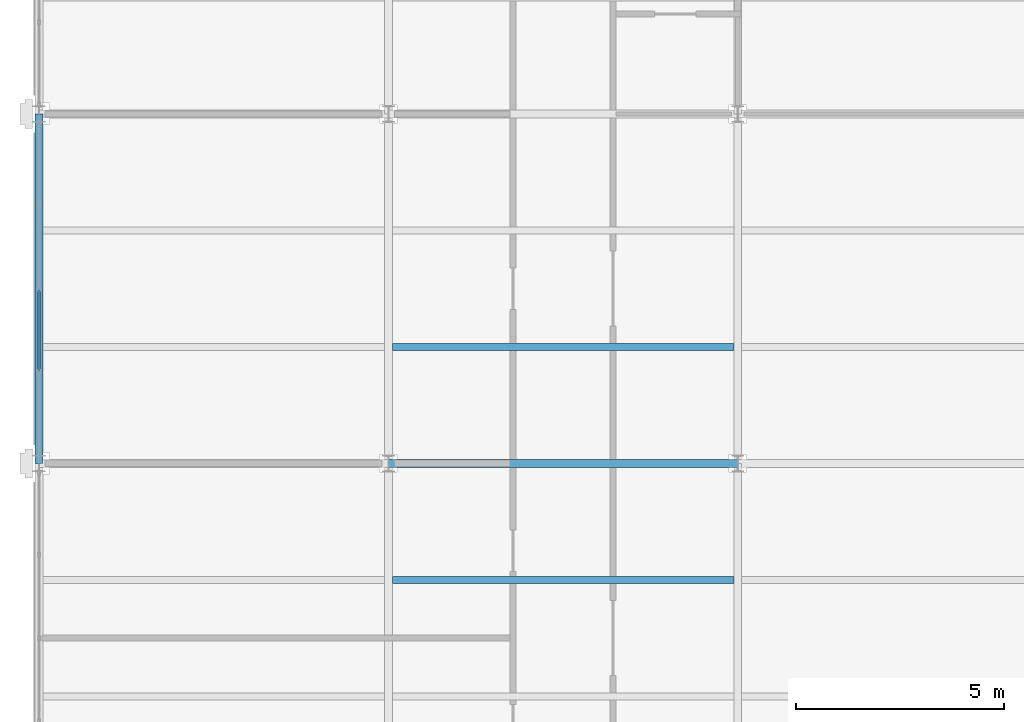
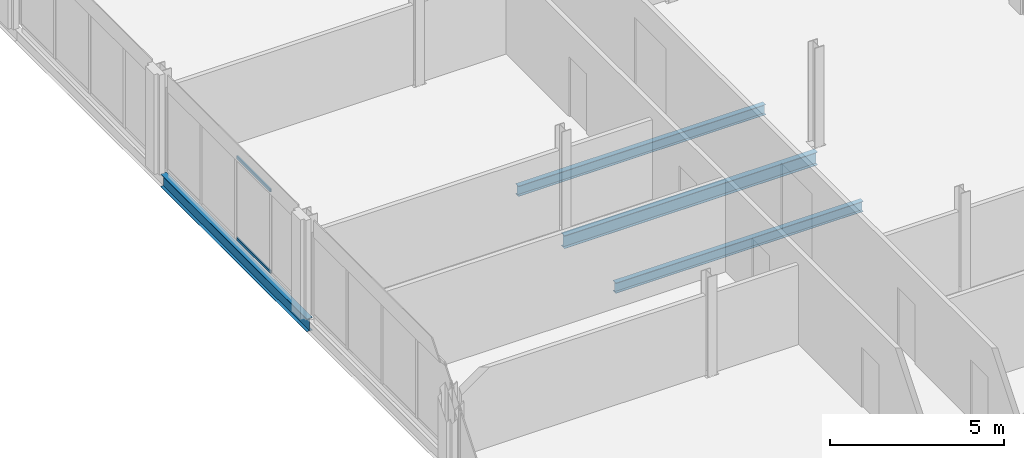
# One storey, part 13 of 32: 4 beams, 2 members, 1 element without a shape of its own.
"""IFC4 building model written with IfcOpenShell, lengths in metres."""

from ifc_helpers import new_model, si_unit, direction, frame, origin, origin_2d, place, context, subcontext, project, spatial, hollow_rectangle, i_section, extrude, material, material_profile, profile_set, type_object, element, aggregate, save


model = new_model("IFC4")

# Units and contexts
model_context = context("Model", 3, precision=1e-05, world=origin(), true_north=direction((0.0, 1.0)))
body_context = subcontext(model_context, "Body", "Model", "MODEL_VIEW")
ifc_project = project(units=[si_unit("LENGTHUNIT", "METRE"), si_unit("AREAUNIT", "SQUARE_METRE"), si_unit("VOLUMEUNIT", "CUBIC_METRE"), si_unit("PLANEANGLEUNIT", "RADIAN"), si_unit("MASSUNIT", "GRAM", prefix="KILO")], contexts=[model_context])

# Site, building, storey
site_placement = place(None, origin())
site = spatial("IfcSite", under=ifc_project, at=site_placement, CompositionType="ELEMENT")
building_placement = place(site_placement, origin())
building = spatial("IfcBuilding", under=site, at=building_placement, Name="Catenary Quay Ferry Terminal", CompositionType="ELEMENT")
storey_placement = place(building_placement, frame((0.0, 0.0, 17.10009765625)))
storey = spatial("IfcBuildingStorey", under=building, at=storey_placement, Name="L03", CompositionType="ELEMENT", Elevation=17.10009765625)

# Beams
ifc_material_1 = material(Name="Steel S355", Category="steel")
ifc_material_profile_1 = material_profile(ifc_material_1, i_section(OverallWidth=0.18994140625, OverallDepth=0.453369140625, WebThickness=0.008544921875, FlangeThickness=0.0126953125, at=origin_2d()), Name="UB 457x191x67")
ifc_profile_set_1 = profile_set([ifc_material_profile_1], Name="Steel S355")
beam_type_1 = type_object("IfcBeamType", Name="B1 UB 457x191x67", PredefinedType="BEAM", material=ifc_profile_set_1)
for number, where, z_axis, x_axis, name in (
    (1, (33.60009765625, 184.800048828125, -0.47705078125), (1.0, 0.0, 0.0), (0.0, 1.0, 0.0), "Beam B1-005"),
    (2, (25.199951171875, 184.800048828125, -0.47705078125), (0.0, 1.0, 0.0), (-1.0, 0.0, 0.0), "Beam B1-013"),
):
    element("IfcBeam", number, at=place(storey_placement, frame(where, z_axis=z_axis, x_axis=x_axis)), inside=storey, type_object=beam_type_1, Name=name, PredefinedType="BEAM", context=body_context, shape_type="SweptSolid", body=[
        extrude(i_section(OverallWidth=0.18994140625, OverallDepth=0.453369140625, WebThickness=0.008544921875, FlangeThickness=0.0126953125, at=origin_2d()), origin(), (0.0, 0.0, 1.0), 8.39990234375),
    ])
ifc_material_2 = material(Name="Steel S355", Category="steel")
ifc_material_profile_2 = material_profile(ifc_material_2, i_section(OverallWidth=0.169921875, OverallDepth=0.360107421875, WebThickness=0.008056640625, FlangeThickness=0.0126953125, at=origin_2d()), Name="IPE 360")
ifc_profile_set_2 = profile_set([ifc_material_profile_2], Name="Steel S355")
beam_type_2 = type_object("IfcBeamType", Name="B7 IPE 360", PredefinedType="BEAM", material=ifc_profile_set_2)
for number, where, z_axis, x_axis, name in (
    (3, (33.695068359375, 182.0, -0.43017578125), (1.0, 0.0, 0.0), (0.0, 1.0, 0.0), "Beam B7-035"),
    (4, (33.695068359375, 187.60009765625, -0.43017578125), (1.0, 0.0, 0.0), (0.0, 1.0, 0.0), "Beam B7-038"),
):
    element("IfcBeam", number, at=place(storey_placement, frame(where, z_axis=z_axis, x_axis=x_axis)), inside=storey, type_object=beam_type_2, Name=name, PredefinedType="BEAM", context=body_context, shape_type="SweptSolid", body=[
        extrude(i_section(OverallWidth=0.169921875, OverallDepth=0.360107421875, WebThickness=0.008056640625, FlangeThickness=0.0126953125, at=origin_2d()), origin(), (0.0, 0.0, 1.0), 8.2099609375),
    ])

# Curtain wall, members
ifc_material_3 = material(Name="Aluminium and glass", Category="aluminium")
curtain_wall_type = type_object("IfcCurtainWallType", Name="CWW3", PredefinedType="NOTDEFINED", material=ifc_material_3)
curtain_wall_placement = place(storey_placement, origin())
curtain_wall = element("IfcCurtainWall", 5, at=curtain_wall_placement, inside=storey, type_object=curtain_wall_type, Name="Wing curtain wall CW152", PredefinedType="NOTDEFINED")
ifc_material_4 = material(Name="Aluminium", Category="aluminium")
ifc_material_profile_3 = material_profile(ifc_material_4, hollow_rectangle(XDim=0.050048828125, YDim=0.10009765625, WallThickness=0.00390625, at=origin_2d()), Name="TR4")
ifc_profile_set_3 = profile_set([ifc_material_profile_3], Name="Aluminium")
member_type = type_object("IfcMemberType", Name="TR4", PredefinedType="USERDEFINED", material=ifc_profile_set_3)
member_1_placement = place(storey_placement, frame((25.199951171875, 187.030029296875, 0.02490234375), z_axis=(0.0, 1.0, 0.0), x_axis=(-1.0, 0.0, 0.0)))
member_1 = element("IfcMember", 6, at=member_1_placement, type_object=member_type, Name="CW152 transom 2.1", ObjectType="TRANSOM", PredefinedType="USERDEFINED", context=body_context, shape_type="SweptSolid", body=[
    extrude(hollow_rectangle(XDim=0.050048828125, YDim=0.10009765625, WallThickness=0.00390625, at=origin_2d()), origin(), (0.0, 0.0, 1.0), 1.93994140625),
])
member_2_placement = place(storey_placement, frame((25.199951171875, 187.030029296875, 2.875), z_axis=(0.0, 1.0, 0.0), x_axis=(-1.0, 0.0, 0.0)))
member_2 = element("IfcMember", 7, at=member_2_placement, type_object=member_type, Name="CW152 transom 2.2", ObjectType="TRANSOM", PredefinedType="USERDEFINED", context=body_context, shape_type="SweptSolid", body=[
    extrude(hollow_rectangle(XDim=0.050048828125, YDim=0.10009765625, WallThickness=0.00390625, at=origin_2d()), origin(), (0.0, 0.0, 1.0), 1.93994140625),
])
aggregate(curtain_wall, [member_1, member_2])

save(model, "model.ifc")
